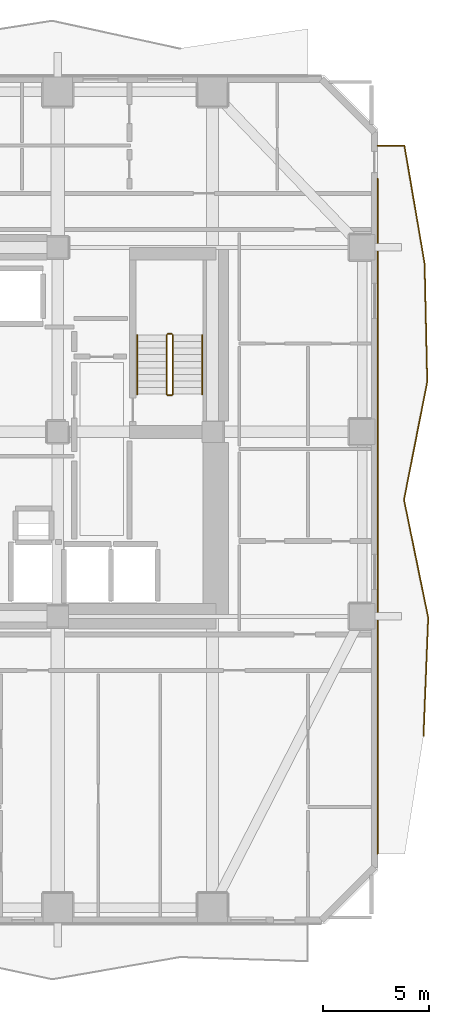
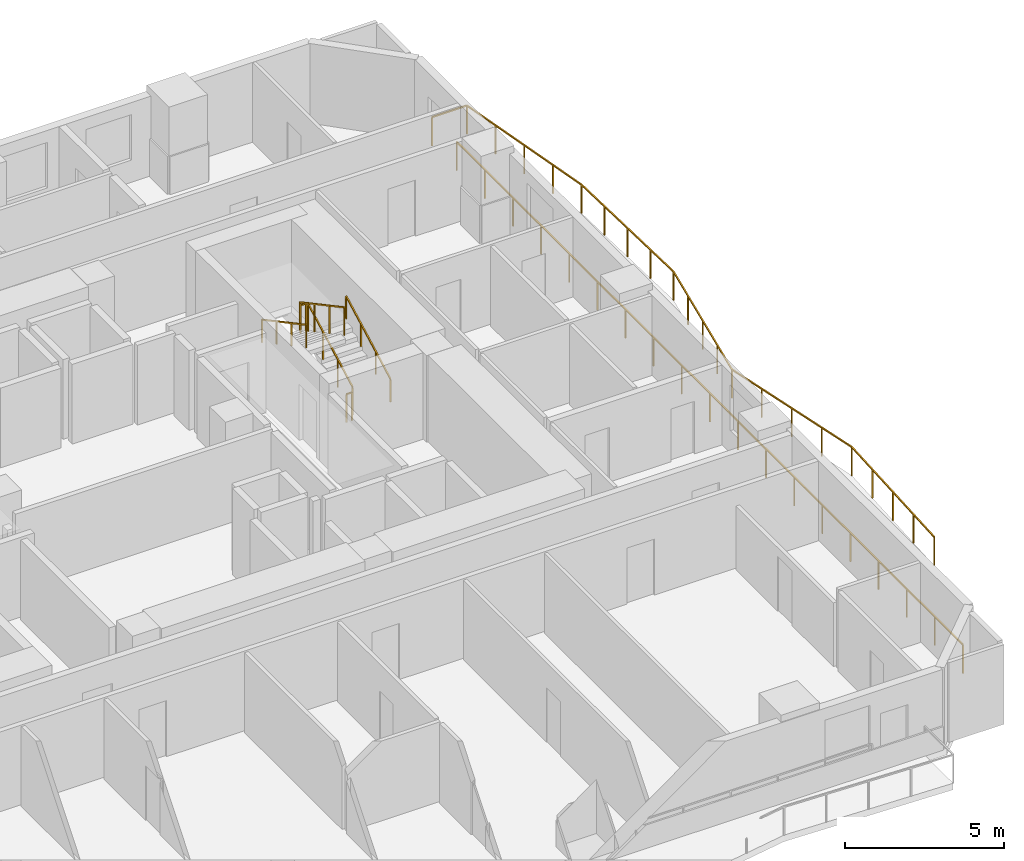
# One storey, part 10 of 11: 8 railings.
"""IFC4 building model written with IfcOpenShell, lengths in metres."""

import ifcopenshell
import ifcopenshell.guid

model = None  # the IFC model being written
_history = None  # IfcOwnerHistory: only IFC2X3 demands one
_inside = {}  # id of a spatial element -> (the spatial element, [elements in it])
_under = {}  # id of a project, library or spatial element -> (it, [spatial elements below it])
_declared = {}  # id of a project -> (the project, [libraries it declares])
_typed = {}  # id of a type object -> (the type object, [elements of that type])
_made_of = {}  # id of a material, layer set ... -> (it, [elements and type objects made of it])


def new_model(schema):
    """Start an empty IFC model of exactly this schema.

    Asked for "IFC4X3", IfcOpenShell would pick the latest addendum, in which some entities
    have other attributes; the version numbers below select the first issue.
    IFC2X3 requires an IfcOwnerHistory on every rooted entity: one is made here for all.
    """
    global model, _history
    if schema == "IFC4X3":
        model = ifcopenshell.file(schema_version=(4, 3, 0, 0))
    else:
        model = ifcopenshell.file(schema=schema)
    _inside.clear()
    _under.clear()
    _declared.clear()
    _typed.clear()
    _made_of.clear()
    _history = None
    if model.schema == "IFC2X3":
        org = make("IfcOrganization", Name="unknown")
        user = make(
            "IfcPersonAndOrganization",
            ThePerson=make("IfcPerson", FamilyName="unknown"),
            TheOrganization=org,
        )
        app = make(
            "IfcApplication",
            ApplicationDeveloper=org,
            Version="unknown",
            ApplicationFullName="unknown",
            ApplicationIdentifier="unknown",
        )
        _history = make(
            "IfcOwnerHistory",
            OwningUser=user,
            OwningApplication=app,
            ChangeAction="ADDED",
            CreationDate=0,
        )
    return model


def make(cls, **values):
    """One entity of the class cls with the attributes given. An attribute that is None is left unset."""
    return model.create_entity(
        cls, **{name: value for name, value in values.items() if value is not None}
    )


def rooted(cls, **values):
    """An entity with a GlobalId (a new one), such as an element, a storey or a relation."""
    return make(cls, GlobalId=ifcopenshell.guid.new(), OwnerHistory=_history, **values)


def si_unit(unit_type, name, prefix=None):
    """IfcSIUnit, for example si_unit("LENGTHUNIT", "METRE", prefix="MILLI")."""
    return make("IfcSIUnit", UnitType=unit_type, Prefix=prefix, Name=name)


def assignment(units):
    """IfcUnitAssignment: the units of a project."""
    return None if units is None else make("IfcUnitAssignment", Units=units)


def point(xyz):
    """IfcCartesianPoint."""
    return None if xyz is None else make("IfcCartesianPoint", Coordinates=xyz)


def direction(xyz):
    """IfcDirection."""
    return None if xyz is None else make("IfcDirection", DirectionRatios=xyz)


def frame(location, z_axis=None, x_axis=None):
    """IfcAxis2Placement3D, a coordinate frame: its origin and axes. An axis left out is left unset."""
    return make(
        "IfcAxis2Placement3D",
        Location=point(location),
        Axis=direction(z_axis),
        RefDirection=direction(x_axis),
    )


def frame_2d(location, x_axis=None):
    """IfcAxis2Placement2D, a coordinate frame in the plane: its origin and x axis."""
    return make(
        "IfcAxis2Placement2D", Location=point(location), RefDirection=direction(x_axis)
    )


def origin():
    """The frame at (0, 0, 0) with its axes left unset."""
    return frame((0.0, 0.0, 0.0))


def origin_2d():
    """The frame at (0, 0) in the plane with its x axis left unset."""
    return frame_2d((0.0, 0.0))


def place(relative_to, where):
    """IfcLocalPlacement: puts the frame where relative to a parent placement (None: the world)."""
    return make(
        "IfcLocalPlacement", PlacementRelTo=relative_to, RelativePlacement=where
    )


def context(
    kind, dimensions, precision=None, world=None, true_north=None, identifier=None
):
    """IfcGeometricRepresentationContext, for example the 3D "Model" context."""
    return make(
        "IfcGeometricRepresentationContext",
        ContextIdentifier=identifier,
        ContextType=kind,
        CoordinateSpaceDimension=dimensions,
        Precision=precision,
        WorldCoordinateSystem=world,
        TrueNorth=true_north,
    )


def subcontext(parent, identifier, kind, view, scale=None):
    """IfcGeometricRepresentationSubContext, for example "Body" below "Model"."""
    return make(
        "IfcGeometricRepresentationSubContext",
        ContextIdentifier=identifier,
        ContextType=kind,
        ParentContext=parent,
        TargetScale=scale,
        TargetView=view,
    )


def project(units=None, contexts=None):
    """IfcProject with its units and contexts."""
    return rooted(
        "IfcProject",
        Name="project",
        RepresentationContexts=contexts,
        UnitsInContext=assignment(units),
    )


def spatial(cls, under=None, at=None, **own):
    """A site, building, storey or space (cls), placed at a placement, below another one or the project."""
    s = rooted(cls, ObjectPlacement=at, **own)
    if under is not None:
        _under.setdefault(under.id(), (under, []))[1].append(s)
    return s


def profile(cls, at=None, kind="AREA", **sizes):
    """A parametric profile (cls). Its sizes go by their IFC names, for example OverallWidth=200.0."""
    return make(cls, ProfileType=kind, Position=at, **sizes)


def rectangle(**sizes):
    """IfcRectangleProfileDef."""
    return profile("IfcRectangleProfileDef", **sizes)


def extrude(swept, where, along, depth):
    """IfcExtrudedAreaSolid: the profile swept, set in the frame where, extruded along a direction by depth."""
    return make(
        "IfcExtrudedAreaSolid",
        SweptArea=swept,
        Position=where,
        ExtrudedDirection=direction(along),
        Depth=depth,
    )


def shape(context_of_items, identifier, shape_type, items):
    """IfcShapeRepresentation: the items that make up one representation, for example the "Body"."""
    return make(
        "IfcShapeRepresentation",
        ContextOfItems=context_of_items,
        RepresentationIdentifier=identifier,
        RepresentationType=shape_type,
        Items=items,
    )


def material(Name=None, Category=None):
    """IfcMaterial."""
    return make("IfcMaterial", Name=Name, Category=Category)


def made_of(thing, what):
    """Note that an element or type object is made of a material, layer set ...; save() writes the relation."""
    if what is not None:
        _made_of.setdefault(what.id(), (what, []))[1].append(thing)
    return thing


def type_object(cls, material=None, **own):
    """A type object (cls), such as IfcWallType, which elements share."""
    return made_of(rooted(cls, **own), material)


def element(
    cls,
    number,
    at=None,
    inside=None,
    cuts=None,
    type_object=None,
    material=None,
    context=None,
    identifier="Body",
    shape_type=None,
    held_by="IfcProductDefinitionShape",
    body=None,
    shapes=None,
    **own,
):
    """One element of the class cls, such as IfcWall. Its Tag is "e" and its number.

    at: its placement. inside: the storey or other place that contains it. cuts: it is an
    opening in that element (IfcRelVoidsElement). A single representation is given by context,
    identifier, shape_type and body (its items); several are given by shapes. held_by: the class
    of the entity that holds the representations. save() writes the other relations.
    """
    e = rooted(cls, Tag="e%d" % number, ObjectPlacement=at, **own)
    if body is not None:
        shapes = [shape(context, identifier, shape_type, body)]
    if shapes is not None:
        e.Representation = make(held_by, Representations=shapes)
    if inside is not None:
        _inside.setdefault(inside.id(), (inside, []))[1].append(e)
    if cuts is not None:
        rooted(
            "IfcRelVoidsElement", RelatingBuildingElement=cuts, RelatedOpeningElement=e
        )
    if type_object is not None:
        _typed.setdefault(type_object.id(), (type_object, []))[1].append(e)
    return made_of(e, material)


def aggregate(whole, parts):
    """IfcRelAggregates: a whole, such as a stair, and the parts it consists of."""
    return rooted("IfcRelAggregates", RelatingObject=whole, RelatedObjects=parts)


def save(model, path):
    """Write the relations noted so far, then the file.

    IfcRelAggregates (storeys below a building ...), IfcRelContainedInSpatialStructure (elements
    in a storey), IfcRelDefinesByType, IfcRelAssociatesMaterial and IfcRelDeclares: one each for
    every whole, place, type object, material and project.
    """
    for whole, parts in _under.values():
        aggregate(whole, parts)
    for where, things in _inside.values():
        rooted(
            "IfcRelContainedInSpatialStructure",
            RelatedElements=things,
            RelatingStructure=where,
        )
    for kind, things in _typed.values():
        rooted("IfcRelDefinesByType", RelatedObjects=things, RelatingType=kind)
    for what, things in _made_of.values():
        rooted("IfcRelAssociatesMaterial", RelatedObjects=things, RelatingMaterial=what)
    for by, libraries in _declared.values():
        rooted("IfcRelDeclares", RelatingContext=by, RelatedDefinitions=libraries)
    model.write(path)


model = new_model("IFC4")

# Units and contexts
model_context = context("Model", 3, precision=1e-05, world=origin(), true_north=direction((0.0, 1.0)))
body_context = subcontext(model_context, "Body", "Model", "MODEL_VIEW")
ifc_project = project(units=[si_unit("LENGTHUNIT", "METRE"), si_unit("AREAUNIT", "SQUARE_METRE"), si_unit("VOLUMEUNIT", "CUBIC_METRE"), si_unit("PLANEANGLEUNIT", "RADIAN"), si_unit("MASSUNIT", "GRAM", prefix="KILO")], contexts=[model_context])

# Site, building, storey
site_placement = place(None, origin())
site = spatial("IfcSite", under=ifc_project, at=site_placement, CompositionType="ELEMENT")
building_placement = place(site_placement, origin())
building = spatial("IfcBuilding", under=site, at=building_placement, Name="Solanera Arch Residences", CompositionType="ELEMENT")
storey_placement = place(building_placement, frame((0.0, 0.0, 25.320068359375)))
storey = spatial("IfcBuildingStorey", under=building, at=storey_placement, Name="L06", CompositionType="ELEMENT", Elevation=25.320068359375)

# Railings
ifc_material_1 = material(Name="Steel S355 (ASTM A992 / A572 Grade 50)", Category="steel")
railing_type_1 = type_object("IfcRailingType", Name="Balustrade Railing BL-1100", PredefinedType="BALUSTRADE", material=ifc_material_1)
railing_1_placement = place(storey_placement, frame((46.450927734375, 16.366943359375, 0.0)))
element("IfcRailing", 1, at=railing_1_placement, inside=storey, type_object=railing_type_1, Name="L06 E Balcony Balustrade 1", PredefinedType="BALUSTRADE", context=body_context, shape_type="SweptSolid", body=[
    extrude(rectangle(XDim=0.048095703125, YDim=0.048095703125, at=origin_2d()), frame((0.0, 0.0, 1.09619140625), z_axis=(0.039707245443, 0.99921135635, 0.0), x_axis=(-0.99921135635, 0.039707245443, 0.0)), (0.0, 0.0, 1.0), 5.570556640625),
    extrude(rectangle(XDim=0.048095703125, YDim=0.048095703125, at=origin_2d()), frame((0.22119140625, 5.566162109375, 1.09619140625), z_axis=(-0.200806715962, 0.979630880906, 0.0), x_axis=(-0.979630880906, -0.200806715962, 0.0)), (0.0, 0.0, 1.0), 5.6826171875),
    extrude(rectangle(XDim=0.048095703125, YDim=0.048095703125, at=origin_2d()), frame((-0.919921875, 11.133056640625, 1.09619140625), z_axis=(0.193161079179, 0.98116705891, 0.0), x_axis=(-0.98116705891, 0.193161079179, 0.0)), (0.0, 0.0, 1.0), 5.673828125),
    extrude(rectangle(XDim=0.048095703125, YDim=0.048095703125, at=origin_2d()), frame((0.176025390625, 16.699951171875, 1.09619140625), z_axis=(-0.022276149951, 0.999751855784, 0.0), x_axis=(-0.999751855784, -0.022276149951, 0.0)), (0.0, 0.0, 1.0), 5.567626953125),
    extrude(rectangle(XDim=0.048095703125, YDim=0.048095703125, at=origin_2d()), frame((0.052001953125, 22.26611328125, 1.09619140625), z_axis=(-0.168715450915, 0.985664799322, 0.0), x_axis=(-0.985664799322, -0.168715450915, 0.0)), (0.0, 0.0, 1.0), 5.64794921875),
    extrude(rectangle(XDim=0.048095703125, YDim=0.048095703125, at=origin_2d()), frame((-0.90087890625, 27.8330078125, 1.09619140625), z_axis=(-1.0, 0.0, 0.0), x_axis=(0.0, -1.0, 0.0)), (0.0, 0.0, 1.0), 1.27001953125),
    extrude(rectangle(XDim=0.0419921875, YDim=0.0419921875, at=origin_2d()), origin(), (0.0, 0.0, 1.0), 1.072021484375),
    extrude(rectangle(XDim=0.0419921875, YDim=0.0419921875, at=origin_2d()), frame((0.05517578125, 1.3916015625, 0.0)), (0.0, 0.0, 1.0), 1.072021484375),
    extrude(rectangle(XDim=0.0419921875, YDim=0.0419921875, at=origin_2d()), frame((0.110595703125, 2.783203125, 0.0)), (0.0, 0.0, 1.0), 1.072021484375),
    extrude(rectangle(XDim=0.0419921875, YDim=0.0419921875, at=origin_2d()), frame((0.166015625, 4.174560546875, 0.0)), (0.0, 0.0, 1.0), 1.072021484375),
    extrude(rectangle(XDim=0.0419921875, YDim=0.0419921875, at=origin_2d()), frame((0.22119140625, 5.566162109375, 0.0)), (0.0, 0.0, 1.0), 1.072021484375),
    extrude(rectangle(XDim=0.0419921875, YDim=0.0419921875, at=origin_2d()), frame((-0.06396484375, 6.9580078125, 0.0)), (0.0, 0.0, 1.0), 1.072021484375),
    extrude(rectangle(XDim=0.0419921875, YDim=0.0419921875, at=origin_2d()), frame((-0.349365234375, 8.349609375, 0.0)), (0.0, 0.0, 1.0), 1.072021484375),
    extrude(rectangle(XDim=0.0419921875, YDim=0.0419921875, at=origin_2d()), frame((-0.634765625, 9.7412109375, 0.0)), (0.0, 0.0, 1.0), 1.072021484375),
    extrude(rectangle(XDim=0.0419921875, YDim=0.0419921875, at=origin_2d()), frame((-0.919921875, 11.133056640625, 0.0)), (0.0, 0.0, 1.0), 1.072021484375),
    extrude(rectangle(XDim=0.0419921875, YDim=0.0419921875, at=origin_2d()), frame((-0.64599609375, 12.52490234375, 0.0)), (0.0, 0.0, 1.0), 1.072021484375),
    extrude(rectangle(XDim=0.0419921875, YDim=0.0419921875, at=origin_2d()), frame((-0.3720703125, 13.91650390625, 0.0)), (0.0, 0.0, 1.0), 1.072021484375),
    extrude(rectangle(XDim=0.0419921875, YDim=0.0419921875, at=origin_2d()), frame((-0.097900390625, 15.30810546875, 0.0)), (0.0, 0.0, 1.0), 1.072021484375),
    extrude(rectangle(XDim=0.0419921875, YDim=0.0419921875, at=origin_2d()), frame((0.176025390625, 16.699951171875, 0.0)), (0.0, 0.0, 1.0), 1.072021484375),
    extrude(rectangle(XDim=0.0419921875, YDim=0.0419921875, at=origin_2d()), frame((0.14501953125, 18.091552734375, 0.0)), (0.0, 0.0, 1.0), 1.072021484375),
    extrude(rectangle(XDim=0.0419921875, YDim=0.0419921875, at=origin_2d()), frame((0.114013671875, 19.48291015625, 0.0)), (0.0, 0.0, 1.0), 1.072021484375),
    extrude(rectangle(XDim=0.0419921875, YDim=0.0419921875, at=origin_2d()), frame((0.0830078125, 20.87451171875, 0.0)), (0.0, 0.0, 1.0), 1.072021484375),
    extrude(rectangle(XDim=0.0419921875, YDim=0.0419921875, at=origin_2d()), frame((0.052001953125, 22.26611328125, 0.0)), (0.0, 0.0, 1.0), 1.072021484375),
    extrude(rectangle(XDim=0.0419921875, YDim=0.0419921875, at=origin_2d()), frame((-0.186279296875, 23.65771484375, 0.0)), (0.0, 0.0, 1.0), 1.072021484375),
    extrude(rectangle(XDim=0.0419921875, YDim=0.0419921875, at=origin_2d()), frame((-0.42431640625, 25.049560546875, 0.0)), (0.0, 0.0, 1.0), 1.072021484375),
    extrude(rectangle(XDim=0.0419921875, YDim=0.0419921875, at=origin_2d()), frame((-0.66259765625, 26.44140625, 0.0)), (0.0, 0.0, 1.0), 1.072021484375),
    extrude(rectangle(XDim=0.0419921875, YDim=0.0419921875, at=origin_2d()), frame((-0.90087890625, 27.8330078125, 0.0)), (0.0, 0.0, 1.0), 1.072021484375),
    extrude(rectangle(XDim=0.0419921875, YDim=0.0419921875, at=origin_2d()), frame((-2.1708984375, 27.8330078125, 0.0)), (0.0, 0.0, 1.0), 1.072021484375),
])
railing_2_placement = place(storey_placement, frame((44.280029296875, 42.634033203125, 0.0)))
element("IfcRailing", 2, at=railing_2_placement, inside=storey, type_object=railing_type_1, Name="L06 E Balcony Balustrade 2", PredefinedType="BALUSTRADE", context=body_context, shape_type="SweptSolid", body=[
    extrude(rectangle(XDim=0.048095703125, YDim=0.048095703125, at=origin_2d()), frame((0.0, 0.0, 1.09619140625), z_axis=(0.0, -1.0, 0.0), x_axis=(1.0, 0.0, 0.0)), (0.0, 0.0, 1.0), 31.833984375),
    extrude(rectangle(XDim=0.0419921875, YDim=0.0419921875, at=origin_2d()), origin(), (0.0, 0.0, 1.0), 1.072021484375),
    extrude(rectangle(XDim=0.0419921875, YDim=0.0419921875, at=origin_2d()), frame((0.0, -1.7685546875, 0.0)), (0.0, 0.0, 1.0), 1.072021484375),
    extrude(rectangle(XDim=0.0419921875, YDim=0.0419921875, at=origin_2d()), frame((0.0, -3.537109375, 0.0)), (0.0, 0.0, 1.0), 1.072021484375),
    extrude(rectangle(XDim=0.0419921875, YDim=0.0419921875, at=origin_2d()), frame((0.0, -5.3056640625, 0.0)), (0.0, 0.0, 1.0), 1.072021484375),
    extrude(rectangle(XDim=0.0419921875, YDim=0.0419921875, at=origin_2d()), frame((0.0, -7.07421875, 0.0)), (0.0, 0.0, 1.0), 1.072021484375),
    extrude(rectangle(XDim=0.0419921875, YDim=0.0419921875, at=origin_2d()), frame((0.0, -8.8427734375, 0.0)), (0.0, 0.0, 1.0), 1.072021484375),
    extrude(rectangle(XDim=0.0419921875, YDim=0.0419921875, at=origin_2d()), frame((0.0, -10.611328125, 0.0)), (0.0, 0.0, 1.0), 1.072021484375),
    extrude(rectangle(XDim=0.0419921875, YDim=0.0419921875, at=origin_2d()), frame((0.0, -12.3798828125, 0.0)), (0.0, 0.0, 1.0), 1.072021484375),
    extrude(rectangle(XDim=0.0419921875, YDim=0.0419921875, at=origin_2d()), frame((0.0, -14.1484375, 0.0)), (0.0, 0.0, 1.0), 1.072021484375),
    extrude(rectangle(XDim=0.0419921875, YDim=0.0419921875, at=origin_2d()), frame((0.0, -15.9169921875, 0.0)), (0.0, 0.0, 1.0), 1.072021484375),
    extrude(rectangle(XDim=0.0419921875, YDim=0.0419921875, at=origin_2d()), frame((0.0, -17.685546875, 0.0)), (0.0, 0.0, 1.0), 1.072021484375),
    extrude(rectangle(XDim=0.0419921875, YDim=0.0419921875, at=origin_2d()), frame((0.0, -19.4541015625, 0.0)), (0.0, 0.0, 1.0), 1.072021484375),
    extrude(rectangle(XDim=0.0419921875, YDim=0.0419921875, at=origin_2d()), frame((0.0, -21.22265625, 0.0)), (0.0, 0.0, 1.0), 1.072021484375),
    extrude(rectangle(XDim=0.0419921875, YDim=0.0419921875, at=origin_2d()), frame((0.0, -22.9912109375, 0.0)), (0.0, 0.0, 1.0), 1.072021484375),
    extrude(rectangle(XDim=0.0419921875, YDim=0.0419921875, at=origin_2d()), frame((0.0, -24.759765625, 0.0)), (0.0, 0.0, 1.0), 1.072021484375),
    extrude(rectangle(XDim=0.0419921875, YDim=0.0419921875, at=origin_2d()), frame((0.0, -26.5283203125, 0.0)), (0.0, 0.0, 1.0), 1.072021484375),
    extrude(rectangle(XDim=0.0419921875, YDim=0.0419921875, at=origin_2d()), frame((0.0, -28.296875, 0.0)), (0.0, 0.0, 1.0), 1.072021484375),
    extrude(rectangle(XDim=0.0419921875, YDim=0.0419921875, at=origin_2d()), frame((0.0, -30.0654296875, 0.0)), (0.0, 0.0, 1.0), 1.072021484375),
    extrude(rectangle(XDim=0.0419921875, YDim=0.0419921875, at=origin_2d()), frame((0.0, -31.833984375, 0.0)), (0.0, 0.0, 1.0), 1.072021484375),
])
ifc_material_2 = material(Name="Steel S355 (ASTM A992 / A572 Grade 50)", Category="steel")
railing_type_2 = type_object("IfcRailingType", Name="Stair Guardrail GR-1100", PredefinedType="GUARDRAIL", material=ifc_material_2)
railing_3_placement = place(storey_placement, frame((34.6298828125, 32.47998046875, 0.15087890625)))
element("IfcRailing", 3, at=railing_3_placement, inside=storey, type_object=railing_type_2, Name="L06 ST-T2 stair guard 1", PredefinedType="GUARDRAIL", context=body_context, shape_type="SweptSolid", body=[
    extrude(rectangle(XDim=0.048095703125, YDim=0.048095703125, at=origin_2d()), frame((0.0, 0.0, 1.076171875), z_axis=(0.0, 0.881548766853, 0.472092969298), x_axis=(-1.0, 0.0, 0.0)), (0.0, 0.0, 1.0), 3.1650390625),
    extrude(rectangle(XDim=0.0419921875, YDim=0.0419921875, at=origin_2d()), origin(), (0.0, 0.0, 1.0), 1.052001953125),
    extrude(rectangle(XDim=0.0419921875, YDim=0.0419921875, at=origin_2d()), frame((0.0, 0.929931640625, 0.498046875)), (0.0, 0.0, 1.0), 1.052001953125),
    extrude(rectangle(XDim=0.0419921875, YDim=0.0419921875, at=origin_2d()), frame((0.0, 1.860107421875, 0.99609375)), (0.0, 0.0, 1.0), 1.052001953125),
    extrude(rectangle(XDim=0.0419921875, YDim=0.0419921875, at=origin_2d()), frame((0.0, 2.7900390625, 1.494140625)), (0.0, 0.0, 1.0), 1.052001953125),
])
railing_4_placement = place(storey_placement, frame((34.580078125, 35.320068359375, 1.64501953125)))
element("IfcRailing", 4, at=railing_4_placement, inside=storey, type_object=railing_type_2, Name="L06 ST-T2 stair guard 2", PredefinedType="GUARDRAIL", context=body_context, shape_type="SweptSolid", body=[
    extrude(rectangle(XDim=0.048095703125, YDim=0.048095703125, at=origin_2d()), frame((0.0, 0.0, 1.076171875), z_axis=(-1.0, 0.0, 0.0), x_axis=(0.0, -1.0, 0.0)), (0.0, 0.0, 1.0), 0.2001953125),
    extrude(rectangle(XDim=0.0419921875, YDim=0.0419921875, at=origin_2d()), origin(), (0.0, 0.0, 1.0), 1.052001953125),
    extrude(rectangle(XDim=0.0419921875, YDim=0.0419921875, at=origin_2d()), frame((-0.2001953125, 0.0, 0.0)), (0.0, 0.0, 1.0), 1.052001953125),
])
railing_5_placement = place(storey_placement, frame((34.330078125, 35.27001953125, 1.81103515625)))
element("IfcRailing", 5, at=railing_5_placement, inside=storey, type_object=railing_type_2, Name="L06 ST-T2 stair guard 3", PredefinedType="GUARDRAIL", context=body_context, shape_type="SweptSolid", body=[
    extrude(rectangle(XDim=0.048095703125, YDim=0.048095703125, at=origin_2d()), frame((0.0, 0.0, 1.076171875), z_axis=(0.0, -0.881580869306, 0.472033018838), x_axis=(1.0, 0.0, 0.0)), (0.0, 0.0, 1.0), 3.164794921875),
    extrude(rectangle(XDim=0.0419921875, YDim=0.0419921875, at=origin_2d()), origin(), (0.0, 0.0, 1.0), 1.052001953125),
    extrude(rectangle(XDim=0.0419921875, YDim=0.0419921875, at=origin_2d()), frame((0.0, -0.929931640625, 0.498046875)), (0.0, 0.0, 1.0), 1.052001953125),
    extrude(rectangle(XDim=0.0419921875, YDim=0.0419921875, at=origin_2d()), frame((0.0, -1.860107421875, 0.995849609375)), (0.0, 0.0, 1.0), 1.052001953125),
    extrude(rectangle(XDim=0.0419921875, YDim=0.0419921875, at=origin_2d()), frame((0.0, -2.7900390625, 1.493896484375)), (0.0, 0.0, 1.0), 1.052001953125),
])
railing_6_placement = place(storey_placement, frame((34.580078125, 32.429931640625, -0.01513671875)))
element("IfcRailing", 6, at=railing_6_placement, inside=storey, type_object=railing_type_2, Name="L06 ST-T2 stair guard 4", PredefinedType="GUARDRAIL", context=body_context, shape_type="SweptSolid", body=[
    extrude(rectangle(XDim=0.048095703125, YDim=0.048095703125, at=origin_2d()), frame((0.0, 0.0, 1.076171875), z_axis=(-1.0, 0.0, 0.0), x_axis=(0.0, -1.0, 0.0)), (0.0, 0.0, 1.0), 0.2001953125),
    extrude(rectangle(XDim=0.0419921875, YDim=0.0419921875, at=origin_2d()), origin(), (0.0, 0.0, 1.0), 1.052001953125),
    extrude(rectangle(XDim=0.0419921875, YDim=0.0419921875, at=origin_2d()), frame((-0.2001953125, 0.0, 0.0)), (0.0, 0.0, 1.0), 1.052001953125),
])
ifc_material_3 = material(Name="Steel S355 (ASTM A992 / A572 Grade 50)", Category="steel")
railing_type_3 = type_object("IfcRailingType", Name="Stair Wall Handrail HR-920", PredefinedType="HANDRAIL", material=ifc_material_3)
railing_7_placement = place(storey_placement, frame((36.010009765625, 32.47998046875, 0.166015625)))
element("IfcRailing", 7, at=railing_7_placement, inside=storey, type_object=railing_type_3, Name="L06 ST-T2 stair handrail 1", PredefinedType="HANDRAIL", context=body_context, shape_type="SweptSolid", body=[
    extrude(rectangle(XDim=0.048095703125, YDim=0.048095703125, at=origin_2d()), frame((0.0, 0.0, 0.8759765625), z_axis=(0.0, 0.881580869306, 0.472033018838), x_axis=(-1.0, 0.0, 0.0)), (0.0, 0.0, 1.0), 3.164794921875),
    extrude(rectangle(XDim=0.0419921875, YDim=0.0419921875, at=origin_2d()), origin(), (0.0, 0.0, 1.0), 0.851806640625),
    extrude(rectangle(XDim=0.0419921875, YDim=0.0419921875, at=origin_2d()), frame((0.0, 0.929931640625, 0.498046875)), (0.0, 0.0, 1.0), 0.851806640625),
    extrude(rectangle(XDim=0.0419921875, YDim=0.0419921875, at=origin_2d()), frame((0.0, 1.860107421875, 0.995849609375)), (0.0, 0.0, 1.0), 0.851806640625),
    extrude(rectangle(XDim=0.0419921875, YDim=0.0419921875, at=origin_2d()), frame((0.0, 2.7900390625, 1.493896484375)), (0.0, 0.0, 1.0), 0.851806640625),
])
railing_8_placement = place(storey_placement, frame((32.949951171875, 35.27001953125, 1.825927734375)))
element("IfcRailing", 8, at=railing_8_placement, inside=storey, type_object=railing_type_3, Name="L06 ST-T2 stair handrail 2", PredefinedType="HANDRAIL", context=body_context, shape_type="SweptSolid", body=[
    extrude(rectangle(XDim=0.048095703125, YDim=0.048095703125, at=origin_2d()), frame((0.0, 0.0, 0.8759765625), z_axis=(0.0, -0.881580869306, 0.472033018838), x_axis=(1.0, 0.0, 0.0)), (0.0, 0.0, 1.0), 3.164794921875),
    extrude(rectangle(XDim=0.0419921875, YDim=0.0419921875, at=origin_2d()), origin(), (0.0, 0.0, 1.0), 0.851806640625),
    extrude(rectangle(XDim=0.0419921875, YDim=0.0419921875, at=origin_2d()), frame((0.0, -0.929931640625, 0.498046875)), (0.0, 0.0, 1.0), 0.851806640625),
    extrude(rectangle(XDim=0.0419921875, YDim=0.0419921875, at=origin_2d()), frame((0.0, -1.860107421875, 0.995849609375)), (0.0, 0.0, 1.0), 0.851806640625),
    extrude(rectangle(XDim=0.0419921875, YDim=0.0419921875, at=origin_2d()), frame((0.0, -2.7900390625, 1.493896484375)), (0.0, 0.0, 1.0), 0.851806640625),
])

save(model, "model.ifc")
